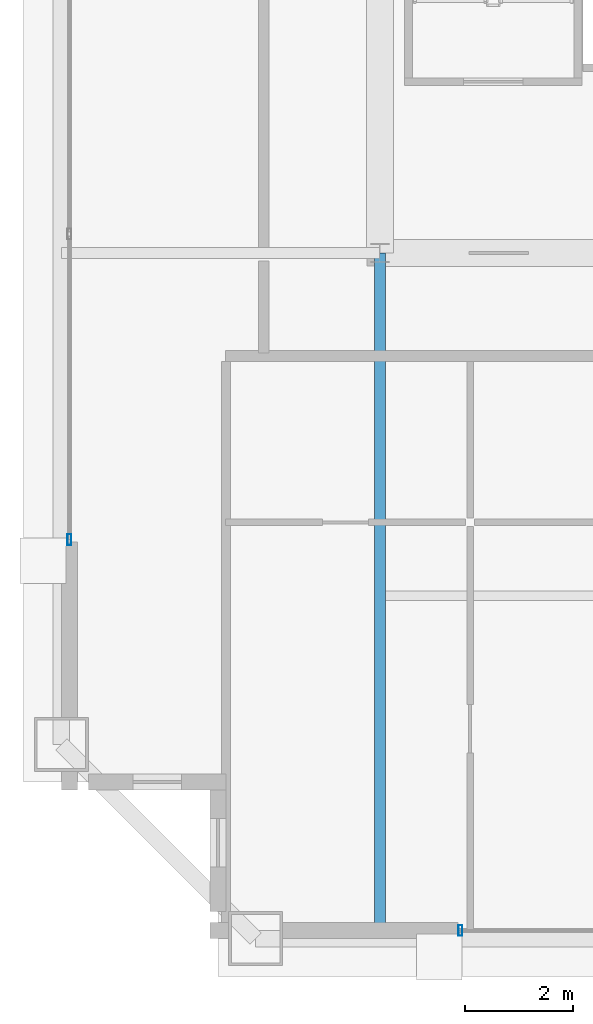
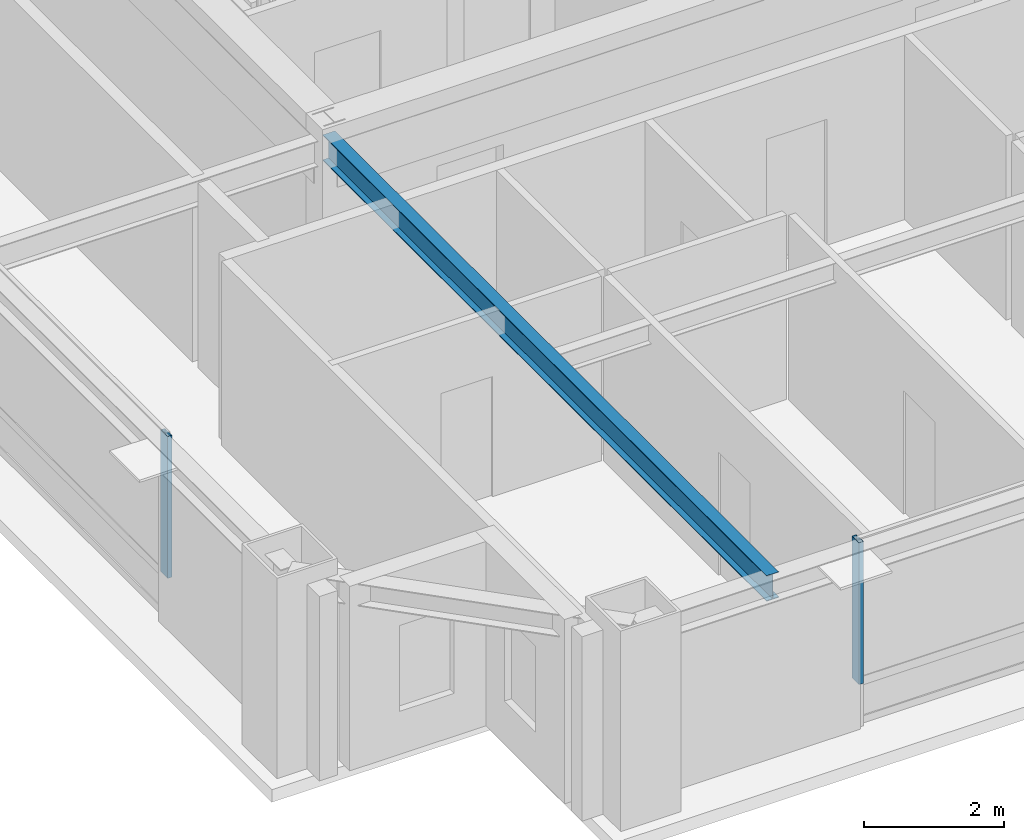
# One storey, part 4 of 35: 2 members, 1 beam, 2 elements without a shape of their own.
"""IFC4 building model written with IfcOpenShell, lengths in metres."""

from ifc_helpers import new_model, si_unit, direction, frame, origin, origin_2d, place, context, subcontext, project, spatial, hollow_rectangle, i_section, extrude, source, transform, mapped, material, layer, layer_set, material_profile, profile_set, type_object, element, aggregate, save


model = new_model("IFC4")

# Units and contexts
model_context = context("Model", 3, precision=1e-05, world=origin(), true_north=direction((0.0, 1.0)))
body_context = subcontext(model_context, "Body", "Model", "MODEL_VIEW")
ifc_project = project(units=[si_unit("LENGTHUNIT", "METRE"), si_unit("AREAUNIT", "SQUARE_METRE"), si_unit("VOLUMEUNIT", "CUBIC_METRE"), si_unit("PLANEANGLEUNIT", "RADIAN"), si_unit("MASSUNIT", "GRAM", prefix="KILO"), si_unit("THERMODYNAMICTEMPERATUREUNIT", "KELVIN"), si_unit("POWERUNIT", "WATT")], contexts=[model_context])

# Site, building, storey
site_placement = place(None, origin())
site = spatial("IfcSite", under=ifc_project, at=site_placement, CompositionType="ELEMENT")
building_placement = place(site_placement, origin())
building = spatial("IfcBuilding", under=site, at=building_placement, Name="Yuzanri Waterfront Tower", CompositionType="ELEMENT")
storey_placement = place(building_placement, frame((0.0, 0.0, 303.10009765625)))
storey = spatial("IfcBuildingStorey", under=building, at=storey_placement, Name="L81", CompositionType="ELEMENT", Elevation=303.10009765625)

# Beam
ifc_material_1 = material(Name="Steel Q355B", Category="steel")
ifc_material_profile_1 = material_profile(ifc_material_1, i_section(OverallWidth=0.199951171875, OverallDepth=0.449951171875, WebThickness=0.009033203125, FlangeThickness=0.013916015625, at=origin_2d()), Name="HN 450x200x9x14")
ifc_profile_set_1 = profile_set([ifc_material_profile_1], Name="Steel Q355B")
beam_type = type_object("IfcBeamType", Name="Secondary Floor Beam Q355B HN 450x200", PredefinedType="BEAM", material=ifc_profile_set_1)
shared_shape_1 = source(origin(), body_context, "Body", "SweptSolid", [
    extrude(i_section(OverallWidth=0.199951171875, OverallDepth=0.449951171875, WebThickness=0.009033203125, FlangeThickness=0.013916015625, at=origin_2d()), origin(), (0.0, 0.0, 1.0), 12.699951171875),
])
beam_placement = place(storey_placement, frame((23.800048828125, 19.39990234375, 2.994873046875), z_axis=(0.0, -1.0, 0.0), x_axis=(1.0, 0.0, 0.0)))
element("IfcBeam", 1, at=beam_placement, inside=storey, type_object=beam_type, Name="L81 South-West Core Line Beam", PredefinedType="BEAM", context=body_context, shape_type="MappedRepresentation", body=[
    mapped(shared_shape_1, transform((0.0, 0.0, 0.0), scale=1.0)),
])

# Curtain wall, member
ifc_material_2 = material(Name="Anodized Architectural Bronze", Category="metal")
ifc_layer = layer(ifc_material_2, 0.159912109375)
ifc_layer_set = layer_set([ifc_layer], Name="Anodized Architectural Bronze")
curtain_wall_type = type_object("IfcCurtainWallType", Name="Anodized Bronze High-Rise Penthouse High-Wind Unitized Curtain Wall 6900", PredefinedType="NOTDEFINED", material=ifc_layer_set)
curtain_wall_1_placement = place(storey_placement, origin())
curtain_wall_1 = element("IfcCurtainWall", 2, at=curtain_wall_1_placement, inside=storey, type_object=curtain_wall_type, Name="L81 Curtain Wall CW-L81-SL", PredefinedType="NOTDEFINED")
ifc_material_3 = material(Name="Anodized Architectural Bronze", Category="metal")
ifc_material_profile_2 = material_profile(ifc_material_3, hollow_rectangle(XDim=0.074951171875, YDim=0.199951171875, WallThickness=0.00390625, at=origin_2d()), Name="CWM 75x200")
ifc_profile_set_2 = profile_set([ifc_material_profile_2], Name="Anodized Architectural Bronze")
member_type = type_object("IfcMemberType", Name="Anodized Bronze Primary Curtain-Wall Mullion 75x200", PredefinedType="MULLION", material=ifc_profile_set_2)
shared_shape_2 = source(origin(), body_context, "Body", "SweptSolid", [
    extrude(hollow_rectangle(XDim=0.074951171875, YDim=0.199951171875, WallThickness=0.00390625, at=origin_2d()), origin(), (0.0, 0.0, 1.0), 2.47705078125),
])
member_1_placement = place(storey_placement, frame((25.2900390625, 6.85009765625, 0.742919921875), z_axis=(0.0, 0.0, 1.0), x_axis=(1.0, 0.0, 0.0)))
member_1 = element("IfcMember", 3, at=member_1_placement, type_object=member_type, Name="CW-L81-SL Upper Mullion 00", PredefinedType="MULLION", context=body_context, shape_type="MappedRepresentation", body=[
    mapped(shared_shape_2, transform((0.0, 0.0, 0.0), scale=1.0)),
])
aggregate(curtain_wall_1, [member_1])

curtain_wall_2_placement = place(storey_placement, origin())
curtain_wall_2 = element("IfcCurtainWall", 4, at=curtain_wall_2_placement, inside=storey, type_object=curtain_wall_type, Name="L81 Curtain Wall CW-L81-WL", PredefinedType="NOTDEFINED")
member_2_placement = place(storey_placement, frame((18.050048828125, 14.090087890625, 0.742919921875), z_axis=(0.0, 0.0, 1.0), x_axis=(1.0, 0.0, 0.0)))
member_2 = element("IfcMember", 5, at=member_2_placement, type_object=member_type, Name="CW-L81-WL Upper Mullion 00", PredefinedType="MULLION", context=body_context, shape_type="MappedRepresentation", body=[
    mapped(shared_shape_2, transform((0.0, 0.0, 0.0), scale=1.0)),
])
aggregate(curtain_wall_2, [member_2])

save(model, "model.ifc")
